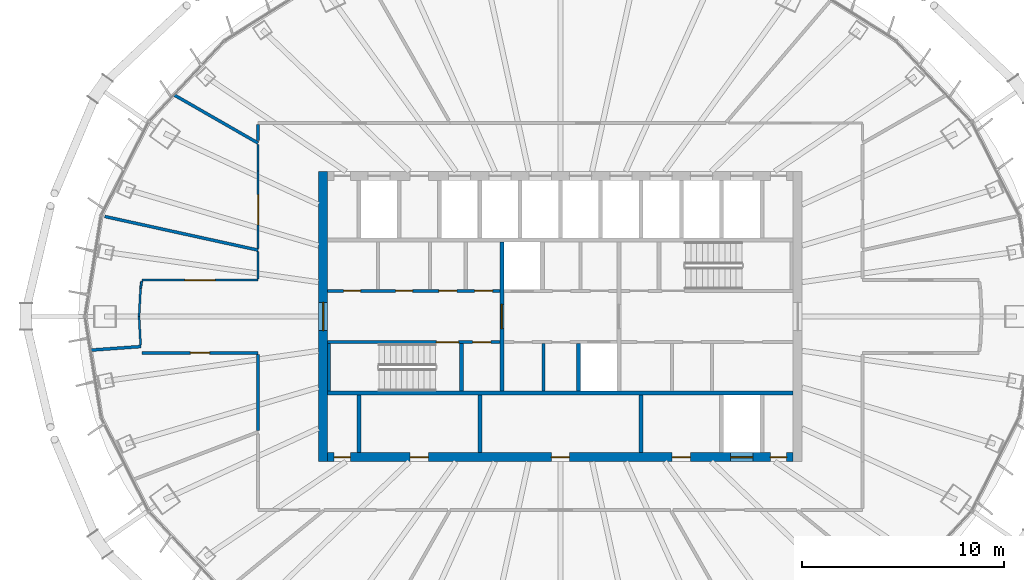
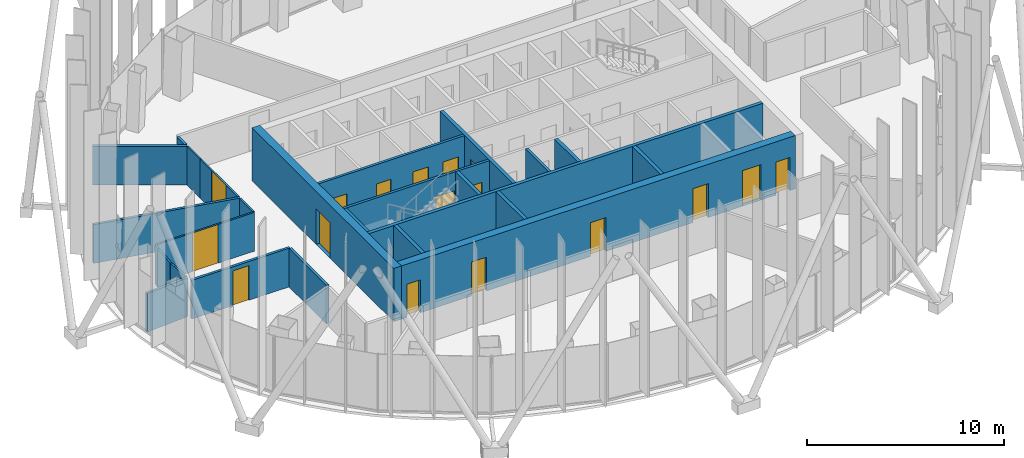
# One storey, part 9 of 19: 26 walls, 17 doors, 17 openings.
"""IFC4 building model written with IfcOpenShell, lengths in metres."""

from ifc_helpers import new_model, si_unit, direction, frame, frame_2d, origin, place, context, subcontext, project, spatial, rectangle, extrude, material, layer, layer_set, type_object, element, fill, save


model = new_model("IFC4")

# Units and contexts
model_context = context("Model", 3, precision=1e-05, world=origin(), true_north=direction((0.0, 1.0)))
body_context = subcontext(model_context, "Body", "Model", "MODEL_VIEW")
ifc_project = project(units=[si_unit("LENGTHUNIT", "METRE"), si_unit("AREAUNIT", "SQUARE_METRE"), si_unit("VOLUMEUNIT", "CUBIC_METRE"), si_unit("PLANEANGLEUNIT", "RADIAN"), si_unit("MASSUNIT", "GRAM", prefix="KILO")], contexts=[model_context])

# Site, building, storey
site_placement = place(None, origin())
site = spatial("IfcSite", under=ifc_project, at=site_placement, CompositionType="ELEMENT")
building_placement = place(site_placement, origin())
building = spatial("IfcBuilding", under=site, at=building_placement, Name="Siaravel Broadcast Tower", CompositionType="ELEMENT")
storey_placement = place(building_placement, frame((0.0, 0.0, 168.199951171875)))
storey = spatial("IfcBuildingStorey", under=building, at=storey_placement, Name="L40", CompositionType="ELEMENT", Elevation=168.199951171875)

# Walls
ifc_material_1 = material(Name="Concrete blockwork", Category="masonry")
ifc_layer_1 = layer(ifc_material_1, 0.14990234375)
ifc_layer_set_1 = layer_set([ifc_layer_1], Name="Concrete blockwork")
wall_type_1 = type_object("IfcWallType", Name="Core partition 150", PredefinedType="PARTITIONING", material=ifc_layer_set_1)
wall_1_placement = place(storey_placement, frame((-0.827392578125, -3.699951171875, 0.0), z_axis=(0.0, 0.0, 1.0), x_axis=(0.0, 1.0, 0.0)))
element("IfcWall", 1, at=wall_1_placement, inside=storey, type_object=wall_type_1, Name="L40 core partition PSM0", PredefinedType="PARTITIONING", context=body_context, shape_type="SweptSolid", body=[
    extrude(rectangle(XDim=2.349853515625, YDim=0.14990234375, at=frame_2d((1.1748046875, 0.0))), origin(), (0.0, 0.0, 1.0), 3.300048828125),
])
ifc_layer_2 = layer(ifc_material_1, 0.199951171875)
ifc_layer_set_2 = layer_set([ifc_layer_2], Name="Concrete blockwork")
wall_type_2 = type_object("IfcWallType", Name="Core partition 200", PredefinedType="PARTITIONING", material=ifc_layer_set_2)
for number, where, z_axis, x_axis, name in (
    (2, (-4.0, -6.75, 0.0), (0.0, 0.0, 1.0), (0.0, 1.0, 0.0), "L40 core partition PFS0"),
    (3, (4.0, -6.75, 0.0), (0.0, 0.0, 1.0), (0.0, 1.0, 0.0), "L40 core partition PFS3"),
):
    element("IfcWall", number, at=place(storey_placement, frame(where, z_axis=z_axis, x_axis=x_axis)), inside=storey, type_object=wall_type_2, Name=name, PredefinedType="PARTITIONING", context=body_context, shape_type="SweptSolid", body=[
        extrude(rectangle(XDim=2.85009765625, YDim=0.199951171875, at=frame_2d((1.425048828125, 0.0))), origin(), (0.0, 0.0, 1.0), 3.300048828125),
    ])

# Wall, opening, door
ifc_material_2 = material(Name="Concrete C60/75", Category="concrete")
ifc_layer_3 = layer(ifc_material_2, 0.449951171875)
ifc_layer_set_3 = layer_set([ifc_layer_3], Name="Concrete C60/75")
wall_type_3 = type_object("IfcWallType", Name="Core wall 450", PredefinedType="SHEAR", material=ifc_layer_set_3)
wall_2_placement = place(storey_placement, frame((-11.77490234375, -7.199951171875, 0.0), z_axis=(0.0, 0.0, 1.0), x_axis=(0.0, 1.0, 0.0)))
wall_2 = element("IfcWall", 4, at=wall_2_placement, inside=storey, type_object=wall_type_3, Name="L40 core wall OW", PredefinedType="SHEAR", context=body_context, shape_type="SweptSolid", body=[
    extrude(rectangle(XDim=14.39990234375, YDim=0.449951171875, at=frame_2d((7.199951171875, 0.0))), origin(), (0.0, 0.0, 1.0), 3.300048828125),
])
opening_1_placement = place(wall_2_placement, frame((6.5, 0.0, 0.0)))
opening_1 = element("IfcOpeningElement", 5, at=opening_1_placement, cuts=wall_2, Name="Opening L40-DX-W", PredefinedType="OPENING", context=body_context, shape_type="SweptSolid", body=[
    extrude(rectangle(XDim=1.39990234375, YDim=2.199951171875, at=frame_2d((0.699951171875, 1.10009765625))), frame((0.0, 0.23486328125, 0.0), z_axis=(0.0, -1.0, 0.0), x_axis=(1.0, 0.0, 0.0)), (0.0, 0.0, 1.0), 0.469970703125),
])
ifc_material_3 = material(Name="Steel", Category="steel")
door_type_1 = type_object("IfcDoorType", Name="Core exit door 1400", OperationType="DOUBLE_DOOR_SINGLE_SWING", PredefinedType="DOOR", material=ifc_material_3)
door_1_placement = place(opening_1_placement, origin())
door_1 = element("IfcDoor", 6, at=door_1_placement, inside=storey, type_object=door_type_1, Name="L40 door DX-W", OperationType="DOUBLE_DOOR_SINGLE_SWING", OverallHeight=2.199951171875, OverallWidth=1.39990234375, PredefinedType="DOOR", context=body_context, shape_type="SweptSolid", body=[
    extrude(rectangle(XDim=1.39990234375, YDim=2.199951171875, at=frame_2d((0.699951171875, 1.10009765625))), frame((0.0, 0.02490234375, 0.0), z_axis=(0.0, -1.0, 0.0), x_axis=(1.0, 0.0, 0.0)), (0.0, 0.0, 1.0), 0.050048828125),
])
fill(opening_1, door_1)

# Wall, openings, doors
wall_3_placement = place(storey_placement, frame((-11.550048828125, -6.97509765625, 0.0), z_axis=(0.0, 0.0, 1.0), x_axis=(1.0, 0.0, 0.0)))
wall_3 = element("IfcWall", 7, at=wall_3_placement, inside=storey, type_object=wall_type_3, Name="L40 core wall OS", PredefinedType="SHEAR", context=body_context, shape_type="SweptSolid", body=[
    extrude(rectangle(XDim=23.10009765625, YDim=0.449951171875, at=frame_2d((11.550048828125, 0.0))), origin(), (0.0, 0.0, 1.0), 3.300048828125),
])
opening_2_placement = place(wall_3_placement, frame((20.0, 0.0, 0.0)))
opening_2 = element("IfcOpeningElement", 8, at=opening_2_placement, cuts=wall_3, Name="Opening LD-SV1-L40", PredefinedType="OPENING", context=body_context, shape_type="SweptSolid", body=[
    extrude(rectangle(XDim=1.10009765625, YDim=2.199951171875, at=frame_2d((0.550048828125, 1.10009765625))), frame((0.0, 0.23486328125, 0.0), z_axis=(0.0, -1.0, 0.0), x_axis=(1.0, 0.0, 0.0)), (0.0, 0.0, 1.0), 0.469970703125),
])
opening_3_placement = place(wall_3_placement, frame((4.10009765625, 0.0, 0.0)))
opening_3 = element("IfcOpeningElement", 9, at=opening_3_placement, cuts=wall_3, Name="Opening L40-DFS0", PredefinedType="OPENING", context=body_context, shape_type="SweptSolid", body=[
    extrude(rectangle(XDim=0.89990234375, YDim=2.10009765625, at=frame_2d((0.449951171875, 1.050048828125))), frame((0.0, 0.23486328125, 0.0), z_axis=(0.0, -1.0, 0.0), x_axis=(1.0, 0.0, 0.0)), (0.0, 0.0, 1.0), 0.469970703125),
])
opening_4_placement = place(wall_3_placement, frame((11.10009765625, 0.0, 0.0)))
opening_4 = element("IfcOpeningElement", 10, at=opening_4_placement, cuts=wall_3, Name="Opening L40-DFS3", PredefinedType="OPENING", context=body_context, shape_type="SweptSolid", body=[
    extrude(rectangle(XDim=0.89990234375, YDim=2.10009765625, at=frame_2d((0.449951171875, 1.050048828125))), frame((0.0, 0.23486328125, 0.0), z_axis=(0.0, -1.0, 0.0), x_axis=(1.0, 0.0, 0.0)), (0.0, 0.0, 1.0), 0.469970703125),
])
opening_5_placement = place(wall_3_placement, frame((17.10009765625, 0.0, 0.0)))
opening_5 = element("IfcOpeningElement", 11, at=opening_5_placement, cuts=wall_3, Name="Opening L40-DFS7", PredefinedType="OPENING", context=body_context, shape_type="SweptSolid", body=[
    extrude(rectangle(XDim=0.89990234375, YDim=2.10009765625, at=frame_2d((0.449951171875, 1.050048828125))), frame((0.0, 0.23486328125, 0.0), z_axis=(0.0, -1.0, 0.0), x_axis=(1.0, 0.0, 0.0)), (0.0, 0.0, 1.0), 0.469970703125),
])
opening_6_placement = place(wall_3_placement, frame((0.324951171875, 0.0, 0.0)))
opening_6 = element("IfcOpeningElement", 12, at=opening_6_placement, cuts=wall_3, Name="Opening L40-DRSW", PredefinedType="OPENING", context=body_context, shape_type="SweptSolid", body=[
    extrude(rectangle(XDim=0.800048828125, YDim=2.050048828125, at=frame_2d((0.39990234375, 1.02490234375))), frame((0.0, 0.23486328125, 0.0), z_axis=(0.0, -1.0, 0.0), x_axis=(1.0, 0.0, 0.0)), (0.0, 0.0, 1.0), 0.469970703125),
])
opening_7_placement = place(wall_3_placement, frame((21.97509765625, 0.0, 0.0)))
opening_7 = element("IfcOpeningElement", 13, at=opening_7_placement, cuts=wall_3, Name="Opening L40-DRSE", PredefinedType="OPENING", context=body_context, shape_type="SweptSolid", body=[
    extrude(rectangle(XDim=0.800048828125, YDim=2.050048828125, at=frame_2d((0.39990234375, 1.02490234375))), frame((0.0, 0.23486328125, 0.0), z_axis=(0.0, -1.0, 0.0), x_axis=(1.0, 0.0, 0.0)), (0.0, 0.0, 1.0), 0.469970703125),
])
ifc_material_4 = material(Name="Timber veneer", Category="wood")
door_type_2 = type_object("IfcDoorType", Name="Core room door 900", OperationType="SINGLE_SWING_LEFT", PredefinedType="DOOR", material=ifc_material_4)
door_2_placement = place(opening_3_placement, origin())
door_2 = element("IfcDoor", 14, at=door_2_placement, inside=storey, type_object=door_type_2, Name="L40 door DFS0", OperationType="SINGLE_SWING_LEFT", OverallHeight=2.10009765625, OverallWidth=0.89990234375, PredefinedType="DOOR", context=body_context, shape_type="SweptSolid", body=[
    extrude(rectangle(XDim=0.89990234375, YDim=2.10009765625, at=frame_2d((0.449951171875, 1.050048828125))), frame((0.0, 0.02490234375, 0.0), z_axis=(0.0, -1.0, 0.0), x_axis=(1.0, 0.0, 0.0)), (0.0, 0.0, 1.0), 0.050048828125),
])
fill(opening_3, door_2)
door_3_placement = place(opening_4_placement, origin())
door_3 = element("IfcDoor", 15, at=door_3_placement, inside=storey, type_object=door_type_2, Name="L40 door DFS3", OperationType="SINGLE_SWING_LEFT", OverallHeight=2.10009765625, OverallWidth=0.89990234375, PredefinedType="DOOR", context=body_context, shape_type="SweptSolid", body=[
    extrude(rectangle(XDim=0.89990234375, YDim=2.10009765625, at=frame_2d((0.449951171875, 1.050048828125))), frame((0.0, 0.02490234375, 0.0), z_axis=(0.0, -1.0, 0.0), x_axis=(1.0, 0.0, 0.0)), (0.0, 0.0, 1.0), 0.050048828125),
])
fill(opening_4, door_3)
door_4_placement = place(opening_5_placement, origin())
door_4 = element("IfcDoor", 16, at=door_4_placement, inside=storey, type_object=door_type_2, Name="L40 door DFS7", OperationType="SINGLE_SWING_LEFT", OverallHeight=2.10009765625, OverallWidth=0.89990234375, PredefinedType="DOOR", context=body_context, shape_type="SweptSolid", body=[
    extrude(rectangle(XDim=0.89990234375, YDim=2.10009765625, at=frame_2d((0.449951171875, 1.050048828125))), frame((0.0, 0.02490234375, 0.0), z_axis=(0.0, -1.0, 0.0), x_axis=(1.0, 0.0, 0.0)), (0.0, 0.0, 1.0), 0.050048828125),
])
fill(opening_5, door_4)
door_type_3 = type_object("IfcDoorType", Name="Riser door 800", OperationType="SINGLE_SWING_LEFT", PredefinedType="DOOR", material=ifc_material_3)
door_5_placement = place(opening_6_placement, origin())
door_5 = element("IfcDoor", 17, at=door_5_placement, inside=storey, type_object=door_type_3, Name="L40 door DRSW", OperationType="SINGLE_SWING_LEFT", OverallHeight=2.050048828125, OverallWidth=0.800048828125, PredefinedType="DOOR", context=body_context, shape_type="SweptSolid", body=[
    extrude(rectangle(XDim=0.800048828125, YDim=2.050048828125, at=frame_2d((0.39990234375, 1.02490234375))), frame((0.0, 0.02490234375, 0.0), z_axis=(0.0, -1.0, 0.0), x_axis=(1.0, 0.0, 0.0)), (0.0, 0.0, 1.0), 0.050048828125),
])
fill(opening_6, door_5)
door_6_placement = place(opening_7_placement, origin())
door_6 = element("IfcDoor", 18, at=door_6_placement, inside=storey, type_object=door_type_3, Name="L40 door DRSE", OperationType="SINGLE_SWING_LEFT", OverallHeight=2.050048828125, OverallWidth=0.800048828125, PredefinedType="DOOR", context=body_context, shape_type="SweptSolid", body=[
    extrude(rectangle(XDim=0.800048828125, YDim=2.050048828125, at=frame_2d((0.39990234375, 1.02490234375))), frame((0.0, 0.02490234375, 0.0), z_axis=(0.0, -1.0, 0.0), x_axis=(1.0, 0.0, 0.0)), (0.0, 0.0, 1.0), 0.050048828125),
])
fill(opening_7, door_6)
ifc_material_5 = material(Name="Stainless steel 316L", Category="steel")
door_type_4 = type_object("IfcDoorType", Name="Service lift landing door 1100", OperationType="DOUBLE_DOOR_SLIDING", PredefinedType="DOOR", material=ifc_material_5)
door_7_placement = place(opening_2_placement, origin())
door_7 = element("IfcDoor", 19, at=door_7_placement, inside=storey, type_object=door_type_4, Name="Landing door SV1 L40", OperationType="DOUBLE_DOOR_SLIDING", OverallHeight=2.199951171875, OverallWidth=1.10009765625, PredefinedType="DOOR", context=body_context, shape_type="SweptSolid", body=[
    extrude(rectangle(XDim=1.10009765625, YDim=2.199951171875, at=frame_2d((0.550048828125, 1.10009765625))), frame((0.0, 0.02490234375, 0.0), z_axis=(0.0, -1.0, 0.0), x_axis=(1.0, 0.0, 0.0)), (0.0, 0.0, 1.0), 0.050048828125),
])
fill(opening_2, door_7)

ifc_material_6 = material(Name="Gypsum board partition", Category="gypsum")
ifc_layer_4 = layer(ifc_material_6, 0.14990234375)
ifc_layer_set_4 = layer_set([ifc_layer_4], Name="Gypsum board partition")
wall_type_4 = type_object("IfcWallType", Name="Corridor wall 150", PredefinedType="PARTITIONING", material=ifc_layer_set_4)
wall_4_placement = place(storey_placement, frame((-11.550048828125, 1.27490234375, 0.0), z_axis=(0.0, 0.0, 1.0), x_axis=(1.0, 0.0, 0.0)))
wall_4 = element("IfcWall", 20, at=wall_4_placement, inside=storey, type_object=wall_type_4, Name="L40 core partition CNW", PredefinedType="PARTITIONING", context=body_context, shape_type="SweptSolid", body=[
    extrude(rectangle(XDim=8.550048828125, YDim=0.14990234375, at=frame_2d((4.27490234375, 0.0))), origin(), (0.0, 0.0, 1.0), 3.300048828125),
])
opening_8_placement = place(wall_4_placement, frame((0.7900390625, 0.0, 0.0)))
opening_8 = element("IfcOpeningElement", 21, at=opening_8_placement, cuts=wall_4, Name="Opening L40-DNW0", PredefinedType="OPENING", context=body_context, shape_type="SweptSolid", body=[
    extrude(rectangle(XDim=0.85009765625, YDim=2.10009765625, at=frame_2d((0.425048828125, 1.050048828125))), frame((0.0, 0.0849609375, 0.0), z_axis=(0.0, -1.0, 0.0), x_axis=(1.0, 0.0, 0.0)), (0.0, 0.0, 1.0), 0.169921875),
])
opening_9_placement = place(wall_4_placement, frame((3.3701171875, 0.0, 0.0)))
opening_9 = element("IfcOpeningElement", 22, at=opening_9_placement, cuts=wall_4, Name="Opening L40-DNW1", PredefinedType="OPENING", context=body_context, shape_type="SweptSolid", body=[
    extrude(rectangle(XDim=0.85009765625, YDim=2.10009765625, at=frame_2d((0.425048828125, 1.050048828125))), frame((0.0, 0.0849609375, 0.0), z_axis=(0.0, -1.0, 0.0), x_axis=(1.0, 0.0, 0.0)), (0.0, 0.0, 1.0), 0.169921875),
])
opening_10_placement = place(wall_4_placement, frame((5.52001953125, 0.0, 0.0)))
opening_10 = element("IfcOpeningElement", 23, at=opening_10_placement, cuts=wall_4, Name="Opening L40-DNW2", PredefinedType="OPENING", context=body_context, shape_type="SweptSolid", body=[
    extrude(rectangle(XDim=0.89990234375, YDim=2.10009765625, at=frame_2d((0.449951171875, 1.050048828125))), frame((0.0, 0.0849609375, 0.0), z_axis=(0.0, -1.0, 0.0), x_axis=(1.0, 0.0, 0.0)), (0.0, 0.0, 1.0), 0.169921875),
])
opening_11_placement = place(wall_4_placement, frame((7.2900390625, 0.0, 0.0)))
opening_11 = element("IfcOpeningElement", 24, at=opening_11_placement, cuts=wall_4, Name="Opening L40-DNW3", PredefinedType="OPENING", context=body_context, shape_type="SweptSolid", body=[
    extrude(rectangle(XDim=0.89990234375, YDim=2.10009765625, at=frame_2d((0.449951171875, 1.050048828125))), frame((0.0, 0.0849609375, 0.0), z_axis=(0.0, -1.0, 0.0), x_axis=(1.0, 0.0, 0.0)), (0.0, 0.0, 1.0), 0.169921875),
])
door_8_placement = place(opening_10_placement, origin())
door_8 = element("IfcDoor", 25, at=door_8_placement, inside=storey, type_object=door_type_2, Name="L40 door DNW2", OperationType="SINGLE_SWING_LEFT", OverallHeight=2.10009765625, OverallWidth=0.89990234375, PredefinedType="DOOR", context=body_context, shape_type="SweptSolid", body=[
    extrude(rectangle(XDim=0.89990234375, YDim=2.10009765625, at=frame_2d((0.449951171875, 1.050048828125))), frame((0.0, 0.02490234375, 0.0), z_axis=(0.0, -1.0, 0.0), x_axis=(1.0, 0.0, 0.0)), (0.0, 0.0, 1.0), 0.050048828125),
])
fill(opening_10, door_8)
door_9_placement = place(opening_11_placement, origin())
door_9 = element("IfcDoor", 26, at=door_9_placement, inside=storey, type_object=door_type_2, Name="L40 door DNW3", OperationType="SINGLE_SWING_LEFT", OverallHeight=2.10009765625, OverallWidth=0.89990234375, PredefinedType="DOOR", context=body_context, shape_type="SweptSolid", body=[
    extrude(rectangle(XDim=0.89990234375, YDim=2.10009765625, at=frame_2d((0.449951171875, 1.050048828125))), frame((0.0, 0.02490234375, 0.0), z_axis=(0.0, -1.0, 0.0), x_axis=(1.0, 0.0, 0.0)), (0.0, 0.0, 1.0), 0.050048828125),
])
fill(opening_11, door_9)
door_type_5 = type_object("IfcDoorType", Name="Core toilet door 850", OperationType="SINGLE_SWING_LEFT", PredefinedType="DOOR", material=ifc_material_4)
door_10_placement = place(opening_8_placement, origin())
door_10 = element("IfcDoor", 27, at=door_10_placement, inside=storey, type_object=door_type_5, Name="L40 door DNW0", OperationType="SINGLE_SWING_LEFT", OverallHeight=2.10009765625, OverallWidth=0.85009765625, PredefinedType="DOOR", context=body_context, shape_type="SweptSolid", body=[
    extrude(rectangle(XDim=0.85009765625, YDim=2.10009765625, at=frame_2d((0.425048828125, 1.050048828125))), frame((0.0, 0.02490234375, 0.0), z_axis=(0.0, -1.0, 0.0), x_axis=(1.0, 0.0, 0.0)), (0.0, 0.0, 1.0), 0.050048828125),
])
fill(opening_8, door_10)
door_11_placement = place(opening_9_placement, origin())
door_11 = element("IfcDoor", 28, at=door_11_placement, inside=storey, type_object=door_type_5, Name="L40 door DNW1", OperationType="SINGLE_SWING_LEFT", OverallHeight=2.10009765625, OverallWidth=0.85009765625, PredefinedType="DOOR", context=body_context, shape_type="SweptSolid", body=[
    extrude(rectangle(XDim=0.85009765625, YDim=2.10009765625, at=frame_2d((0.425048828125, 1.050048828125))), frame((0.0, 0.02490234375, 0.0), z_axis=(0.0, -1.0, 0.0), x_axis=(1.0, 0.0, 0.0)), (0.0, 0.0, 1.0), 0.050048828125),
])
fill(opening_9, door_11)

# Wall, opening, door
wall_5_placement = place(storey_placement, frame((-20.766357421875, -1.800048828125, 0.0), z_axis=(0.0, 0.0, 1.0), x_axis=(1.0, 0.0, 0.0)))
wall_5 = element("IfcWall", 29, at=wall_5_placement, inside=storey, type_object=wall_type_4, Name="L40 partition 16", PredefinedType="PARTITIONING", context=body_context, shape_type="SweptSolid", body=[
    extrude(rectangle(XDim=5.766357421875, YDim=0.14990234375, at=frame_2d((2.88330078125, 0.0))), origin(), (0.0, 0.0, 1.0), 2.400146484375),
])
opening_12_placement = place(wall_5_placement, frame((2.408203125, 0.0, 0.0)))
opening_12 = element("IfcOpeningElement", 30, at=opening_12_placement, cuts=wall_5, Name="Opening L40-012", PredefinedType="OPENING", context=body_context, shape_type="SweptSolid", body=[
    extrude(rectangle(XDim=0.949951171875, YDim=2.14990234375, at=frame_2d((0.47509765625, 1.074951171875))), frame((0.0, 0.0849609375, 0.0), z_axis=(0.0, -1.0, 0.0), x_axis=(1.0, 0.0, 0.0)), (0.0, 0.0, 1.0), 0.169921875),
])
door_type_6 = type_object("IfcDoorType", Name="Office door 950", OperationType="SINGLE_SWING_LEFT", PredefinedType="DOOR", material=ifc_material_4)
door_12_placement = place(opening_12_placement, origin())
door_12 = element("IfcDoor", 31, at=door_12_placement, inside=storey, type_object=door_type_6, Name="L40 door to Reception", OperationType="SINGLE_SWING_RIGHT", OverallHeight=2.14990234375, OverallWidth=0.949951171875, PredefinedType="DOOR", context=body_context, shape_type="SweptSolid", body=[
    extrude(rectangle(XDim=0.949951171875, YDim=2.14990234375, at=frame_2d((0.47509765625, 1.074951171875))), frame((0.0, 0.02490234375, 0.0), z_axis=(0.0, -1.0, 0.0), x_axis=(1.0, 0.0, 0.0)), (0.0, 0.0, 1.0), 0.050048828125),
])
fill(opening_12, door_12)

# Walls
wall_6_placement = place(storey_placement, frame((-15.0, -1.876953125, 0.0), z_axis=(0.0, 0.0, 1.0), x_axis=(0.0, -1.0, 0.0)))
element("IfcWall", 32, at=wall_6_placement, inside=storey, type_object=wall_type_4, Name="L40 partition 23", PredefinedType="PARTITIONING", context=body_context, shape_type="SweptSolid", body=[
    extrude(rectangle(XDim=3.7802734375, YDim=0.14990234375, at=frame_2d((1.89013671875, 0.0))), origin(), (0.0, 0.0, 1.0), 2.400146484375),
])
wall_7_placement = place(storey_placement, frame((-15.0, 9.52294921875, 0.0), z_axis=(0.0, 0.0, 1.0), x_axis=(0.0, -1.0, 0.0)))
element("IfcWall", 33, at=wall_7_placement, inside=storey, type_object=wall_type_4, Name="L40 partition 40", PredefinedType="PARTITIONING", context=body_context, shape_type="SweptSolid", body=[
    extrude(rectangle(XDim=0.788330078125, YDim=0.14990234375, at=frame_2d((0.39404296875, 0.0))), origin(), (0.0, 0.0, 1.0), 2.400146484375),
])

# Wall, opening, door
ifc_material_7 = material(Name="Glazed aluminium partition", Category="aluminium")
ifc_layer_5 = layer(ifc_material_7, 0.10009765625)
ifc_layer_set_5 = layer_set([ifc_layer_5], Name="Glazed aluminium partition")
wall_type_5 = type_object("IfcWallType", Name="Glazed meeting room partition 100", PredefinedType="PARTITIONING", material=ifc_layer_set_5)
wall_8_placement = place(storey_placement, frame((-15.0, 1.800048828125, 0.0), z_axis=(0.0, 0.0, 1.0), x_axis=(-1.0, 0.0, 0.0)))
wall_8 = element("IfcWall", 34, at=wall_8_placement, inside=storey, type_object=wall_type_5, Name="L40 partition 17", PredefinedType="PARTITIONING", context=body_context, shape_type="SweptSolid", body=[
    extrude(rectangle(XDim=5.766357421875, YDim=0.10009765625, at=frame_2d((2.88330078125, 0.0))), origin(), (0.0, 0.0, 1.0), 2.400146484375),
])
opening_13_placement = place(wall_8_placement, frame((2.13330078125, 0.0, 0.0)))
opening_13 = element("IfcOpeningElement", 35, at=opening_13_placement, cuts=wall_8, Name="Opening L40-011", PredefinedType="OPENING", context=body_context, shape_type="SweptSolid", body=[
    extrude(rectangle(XDim=1.5, YDim=2.39990234375, at=frame_2d((0.75, 1.199951171875))), frame((0.0, 0.06005859375, 0.0), z_axis=(0.0, -1.0, 0.0), x_axis=(1.0, 0.0, 0.0)), (0.0, 0.0, 1.0), 0.1201171875),
])
door_type_7 = type_object("IfcDoorType", Name="Conference double door 1500", OperationType="DOUBLE_DOOR_SINGLE_SWING", PredefinedType="DOOR", material=ifc_material_4)
door_13_placement = place(opening_13_placement, origin())
door_13 = element("IfcDoor", 36, at=door_13_placement, inside=storey, type_object=door_type_7, Name="L40 door to Boardroom", OperationType="DOUBLE_DOOR_SINGLE_SWING", OverallHeight=2.39990234375, OverallWidth=1.5, PredefinedType="DOOR", context=body_context, shape_type="SweptSolid", body=[
    extrude(rectangle(XDim=1.5, YDim=2.39990234375, at=frame_2d((0.75, 1.199951171875))), frame((0.0, 0.02490234375, 0.0), z_axis=(0.0, -1.0, 0.0), x_axis=(1.0, 0.0, 0.0)), (0.0, 0.0, 1.0), 0.050048828125),
])
fill(opening_13, door_13)

wall_9_placement = place(storey_placement, frame((-15.0, 7.2119140625, 0.0), z_axis=(0.0, 0.0, 1.0), x_axis=(0.0, -1.0, 0.0)))
wall_9 = element("IfcWall", 37, at=wall_9_placement, inside=storey, type_object=wall_type_5, Name="L40 partition 24", PredefinedType="PARTITIONING", context=body_context, shape_type="SweptSolid", body=[
    extrude(rectangle(XDim=3.830078125, YDim=0.10009765625, at=frame_2d((1.9150390625, 0.0))), origin(), (0.0, 0.0, 1.0), 2.400146484375),
])
opening_14_placement = place(wall_9_placement, frame((1.1650390625, 0.0, 0.0)))
opening_14 = element("IfcOpeningElement", 38, at=opening_14_placement, cuts=wall_9, Name="Opening L40-010", PredefinedType="OPENING", context=body_context, shape_type="SweptSolid", body=[
    extrude(rectangle(XDim=1.5, YDim=2.39990234375, at=frame_2d((0.75, 1.199951171875))), frame((0.0, 0.06005859375, 0.0), z_axis=(0.0, -1.0, 0.0), x_axis=(1.0, 0.0, 0.0)), (0.0, 0.0, 1.0), 0.1201171875),
])
door_14_placement = place(opening_14_placement, origin())
door_14 = element("IfcDoor", 39, at=door_14_placement, inside=storey, type_object=door_type_7, Name="L40 door to Boardroom", OperationType="DOUBLE_DOOR_SINGLE_SWING", OverallHeight=2.39990234375, OverallWidth=1.5, PredefinedType="DOOR", context=body_context, shape_type="SweptSolid", body=[
    extrude(rectangle(XDim=1.5, YDim=2.39990234375, at=frame_2d((0.75, 1.199951171875))), frame((0.0, 0.02490234375, 0.0), z_axis=(0.0, -1.0, 0.0), x_axis=(1.0, 0.0, 0.0)), (0.0, 0.0, 1.0), 0.050048828125),
])
fill(opening_14, door_14)

# Walls
wall_10_placement = place(storey_placement, frame((-20.905029296875, 0.0, 0.0), z_axis=(0.0, 0.0, 1.0), x_axis=(0.053227869, -0.998582392, 0.0)))
element("IfcWall", 40, at=wall_10_placement, inside=storey, type_object=wall_type_5, Name="L40 partition 31", PredefinedType="PARTITIONING", context=body_context, shape_type="SweptSolid", body=[
    extrude(rectangle(XDim=1.417236328125, YDim=0.10009765625, at=frame_2d((0.70849609375, 0.0))), origin(), (0.0, 0.0, 1.0), 2.400146484375),
])
wall_11_placement = place(storey_placement, frame((-15.0, 3.216796875, 0.0), z_axis=(0.0, 0.0, 1.0), x_axis=(0.0, -1.0, 0.0)))
element("IfcWall", 41, at=wall_11_placement, inside=storey, type_object=wall_type_5, Name="L40 partition 32", PredefinedType="PARTITIONING", context=body_context, shape_type="SweptSolid", body=[
    extrude(rectangle(XDim=1.36474609375, YDim=0.10009765625, at=frame_2d((0.682373046875, 0.0))), origin(), (0.0, 0.0, 1.0), 2.400146484375),
])
wall_12_placement = place(storey_placement, frame((-15.0, 8.5361328125, 0.0), z_axis=(0.0, 0.0, 1.0), x_axis=(0.0, -1.0, 0.0)))
element("IfcWall", 42, at=wall_12_placement, inside=storey, type_object=wall_type_5, Name="L40 partition 35", PredefinedType="PARTITIONING", context=body_context, shape_type="SweptSolid", body=[
    extrude(rectangle(XDim=1.3232421875, YDim=0.10009765625, at=frame_2d((0.66162109375, 0.0))), origin(), (0.0, 0.0, 1.0), 2.400146484375),
])
wall_13_placement = place(storey_placement, frame((-20.830322265625, 1.4013671875, 0.0), z_axis=(0.0, 0.0, 1.0), x_axis=(-0.053234513, -0.998582038, 0.0)))
element("IfcWall", 43, at=wall_13_placement, inside=storey, type_object=wall_type_5, Name="L40 partition 37", PredefinedType="PARTITIONING", context=body_context, shape_type="SweptSolid", body=[
    extrude(rectangle(XDim=1.4033203125, YDim=0.10009765625, at=frame_2d((0.70166015625, 0.0))), origin(), (0.0, 0.0, 1.0), 2.400146484375),
])
wall_14_placement = place(storey_placement, frame((-20.7744140625, 1.749267578125, 0.0), z_axis=(0.0, 0.0, 1.0), x_axis=(-0.158666034, -0.98733231, 0.0)))
element("IfcWall", 44, at=wall_14_placement, inside=storey, type_object=wall_type_5, Name="L40 partition 42", PredefinedType="PARTITIONING", context=body_context, shape_type="SweptSolid", body=[
    extrude(rectangle(XDim=0.352294921875, YDim=0.10009765625, at=frame_2d((0.17626953125, 0.0))), origin(), (0.0, 0.0, 1.0), 2.400146484375),
])
ifc_layer_6 = layer(ifc_material_6, 0.14990234375)
ifc_layer_set_6 = layer_set([ifc_layer_6], Name="Gypsum board partition")
wall_type_6 = type_object("IfcWallType", Name="Room partition 150", PredefinedType="PARTITIONING", material=ifc_layer_set_6)
wall_15_placement = place(storey_placement, frame((-22.60986328125, 4.96240234375, 0.0), z_axis=(0.0, 0.0, 1.0), x_axis=(0.976752185, -0.214371566, 0.0)))
element("IfcWall", 45, at=wall_15_placement, inside=storey, type_object=wall_type_6, Name="L40 partition 8", PredefinedType="PARTITIONING", context=body_context, shape_type="SweptSolid", body=[
    extrude(rectangle(XDim=7.791015625, YDim=0.14990234375, at=frame_2d((3.8955078125, 0.0))), origin(), (0.0, 0.0, 1.0), 2.400146484375),
])
wall_16_placement = place(storey_placement, frame((-19.168701171875, 10.994140625, 0.0), z_axis=(0.0, 0.0, 1.0), x_axis=(0.867457349, -0.497511556, 0.0)))
element("IfcWall", 46, at=wall_16_placement, inside=storey, type_object=wall_type_6, Name="L40 partition 21", PredefinedType="PARTITIONING", context=body_context, shape_type="SweptSolid", body=[
    extrude(rectangle(XDim=4.8056640625, YDim=0.14990234375, at=frame_2d((2.40283203125, 0.0))), origin(), (0.0, 0.0, 1.0), 2.400146484375),
])
wall_17_placement = place(storey_placement, frame((-23.319091796875, -1.671142578125, 0.0), z_axis=(0.0, 0.0, 1.0), x_axis=(0.997440396, 0.071502847, 0.0)))
element("IfcWall", 47, at=wall_17_placement, inside=storey, type_object=wall_type_6, Name="L40 partition 28", PredefinedType="PARTITIONING", context=body_context, shape_type="SweptSolid", body=[
    extrude(rectangle(XDim=2.509521484375, YDim=0.14990234375, at=frame_2d((1.2548828125, 0.0))), origin(), (0.0, 0.0, 1.0), 2.400146484375),
])

# Wall, openings, doors
ifc_layer_7 = layer(ifc_material_2, 0.14990234375)
ifc_layer_set_7 = layer_set([ifc_layer_7], Name="Concrete C60/75")
wall_type_7 = type_object("IfcWallType", Name="Shaft wall 150", PredefinedType="SHEAR", material=ifc_layer_set_7)
wall_18_placement = place(storey_placement, frame((-11.550048828125, -1.27490234375, 0.0), z_axis=(0.0, 0.0, 1.0), x_axis=(1.0, 0.0, 0.0)))
wall_18 = element("IfcWall", 48, at=wall_18_placement, inside=storey, type_object=wall_type_7, Name="L40 core wall CSW", PredefinedType="SHEAR", context=body_context, shape_type="SweptSolid", body=[
    extrude(rectangle(XDim=8.550048828125, YDim=0.14990234375, at=frame_2d((4.27490234375, 0.0))), origin(), (0.0, 0.0, 1.0), 3.300048828125),
])
opening_15_placement = place(wall_18_placement, frame((5.39990234375, 0.0, 0.0)))
opening_15 = element("IfcOpeningElement", 49, at=opening_15_placement, cuts=wall_18, Name="Opening L40-DS-1", PredefinedType="OPENING", context=body_context, shape_type="SweptSolid", body=[
    extrude(rectangle(XDim=1.10009765625, YDim=2.14990234375, at=frame_2d((0.550048828125, 1.074951171875))), frame((0.0, 0.0849609375, 0.0), z_axis=(0.0, -1.0, 0.0), x_axis=(1.0, 0.0, 0.0)), (0.0, 0.0, 1.0), 0.169921875),
])
opening_16_placement = place(wall_18_placement, frame((7.199951171875, 0.0, 0.0)))
opening_16 = element("IfcOpeningElement", 50, at=opening_16_placement, cuts=wall_18, Name="Opening L40-DSW0", PredefinedType="OPENING", context=body_context, shape_type="SweptSolid", body=[
    extrude(rectangle(XDim=0.89990234375, YDim=2.10009765625, at=frame_2d((0.449951171875, 1.050048828125))), frame((0.0, 0.0849609375, 0.0), z_axis=(0.0, -1.0, 0.0), x_axis=(1.0, 0.0, 0.0)), (0.0, 0.0, 1.0), 0.169921875),
])
door_15_placement = place(opening_16_placement, origin())
door_15 = element("IfcDoor", 51, at=door_15_placement, inside=storey, type_object=door_type_2, Name="L40 door DSW0", OperationType="SINGLE_SWING_LEFT", OverallHeight=2.10009765625, OverallWidth=0.89990234375, PredefinedType="DOOR", context=body_context, shape_type="SweptSolid", body=[
    extrude(rectangle(XDim=0.89990234375, YDim=2.10009765625, at=frame_2d((0.449951171875, 1.050048828125))), frame((0.0, 0.02490234375, 0.0), z_axis=(0.0, -1.0, 0.0), x_axis=(1.0, 0.0, 0.0)), (0.0, 0.0, 1.0), 0.050048828125),
])
fill(opening_16, door_15)
door_type_8 = type_object("IfcDoorType", Name="Stair door 1100", OperationType="SINGLE_SWING_LEFT", PredefinedType="DOOR", material=ifc_material_3)
door_16_placement = place(opening_15_placement, origin())
door_16 = element("IfcDoor", 52, at=door_16_placement, inside=storey, type_object=door_type_8, Name="L40 door DS-1", OperationType="SINGLE_SWING_LEFT", OverallHeight=2.14990234375, OverallWidth=1.10009765625, PredefinedType="DOOR", context=body_context, shape_type="SweptSolid", body=[
    extrude(rectangle(XDim=1.10009765625, YDim=2.14990234375, at=frame_2d((0.550048828125, 1.074951171875))), frame((0.0, 0.02490234375, 0.0), z_axis=(0.0, -1.0, 0.0), x_axis=(1.0, 0.0, 0.0)), (0.0, 0.0, 1.0), 0.050048828125),
])
fill(opening_15, door_16)

# Walls
wall_19_placement = place(storey_placement, frame((-11.47509765625, -3.699951171875, 0.0), z_axis=(0.0, 0.0, 1.0), x_axis=(0.0, 1.0, 0.0)))
element("IfcWall", 53, at=wall_19_placement, inside=storey, type_object=wall_type_7, Name="L40 core wall ST1W", PredefinedType="SHEAR", context=body_context, shape_type="SweptSolid", body=[
    extrude(rectangle(XDim=2.349853515625, YDim=0.14990234375, at=frame_2d((1.1748046875, 0.0))), origin(), (0.0, 0.0, 1.0), 3.300048828125),
])
ifc_layer_8 = layer(ifc_material_2, 0.199951171875)
ifc_layer_set_8 = layer_set([ifc_layer_8], Name="Concrete C60/75")
wall_type_8 = type_object("IfcWallType", Name="Shaft wall 200", PredefinedType="SHEAR", material=ifc_layer_set_8)
wall_20_placement = place(storey_placement, frame((-11.550048828125, -3.800048828125, 0.0), z_axis=(0.0, 0.0, 1.0), x_axis=(1.0, 0.0, 0.0)))
element("IfcWall", 54, at=wall_20_placement, inside=storey, type_object=wall_type_8, Name="L40 core wall BS", PredefinedType="SHEAR", context=body_context, shape_type="SweptSolid", body=[
    extrude(rectangle(XDim=23.10009765625, YDim=0.199951171875, at=frame_2d((11.550048828125, 0.0))), origin(), (0.0, 0.0, 1.0), 3.300048828125),
])
wall_21_placement = place(storey_placement, frame((-10.0, -6.75, 0.0), z_axis=(0.0, 0.0, 1.0), x_axis=(0.0, 1.0, 0.0)))
element("IfcWall", 55, at=wall_21_placement, inside=storey, type_object=wall_type_8, Name="L40 core wall SWS0", PredefinedType="SHEAR", context=body_context, shape_type="SweptSolid", body=[
    extrude(rectangle(XDim=2.85009765625, YDim=0.199951171875, at=frame_2d((1.425048828125, 0.0))), origin(), (0.0, 0.0, 1.0), 3.300048828125),
])

# Wall, opening, door
wall_22_placement = place(storey_placement, frame((-2.89990234375, -3.699951171875, 0.0), z_axis=(0.0, 0.0, 1.0), x_axis=(0.0, 1.0, 0.0)))
wall_22 = element("IfcWall", 56, at=wall_22_placement, inside=storey, type_object=wall_type_8, Name="L40 core wall LW", PredefinedType="SHEAR", context=body_context, shape_type="SweptSolid", body=[
    extrude(rectangle(XDim=7.39990234375, YDim=0.199951171875, at=frame_2d((3.699951171875, 0.0))), origin(), (0.0, 0.0, 1.0), 3.300048828125),
])
opening_17_placement = place(wall_22_placement, frame((3.10009765625, 0.0, 0.0)))
opening_17 = element("IfcOpeningElement", 57, at=opening_17_placement, cuts=wall_22, Name="Opening L40-DL-W", PredefinedType="OPENING", context=body_context, shape_type="SweptSolid", body=[
    extrude(rectangle(XDim=1.199951171875, YDim=2.199951171875, at=frame_2d((0.60009765625, 1.10009765625))), frame((0.0, 0.10986328125, 0.0), z_axis=(0.0, -1.0, 0.0), x_axis=(1.0, 0.0, 0.0)), (0.0, 0.0, 1.0), 0.219970703125),
])
door_type_9 = type_object("IfcDoorType", Name="Firefighting lobby door 1200", OperationType="SINGLE_SWING_LEFT", PredefinedType="DOOR", material=ifc_material_3)
door_17_placement = place(opening_17_placement, origin())
door_17 = element("IfcDoor", 58, at=door_17_placement, inside=storey, type_object=door_type_9, Name="L40 door DL-W", OperationType="SINGLE_SWING_LEFT", OverallHeight=2.199951171875, OverallWidth=1.199951171875, PredefinedType="DOOR", context=body_context, shape_type="SweptSolid", body=[
    extrude(rectangle(XDim=1.199951171875, YDim=2.199951171875, at=frame_2d((0.60009765625, 1.10009765625))), frame((0.0, 0.02490234375, 0.0), z_axis=(0.0, -1.0, 0.0), x_axis=(1.0, 0.0, 0.0)), (0.0, 0.0, 1.0), 0.050048828125),
])
fill(opening_17, door_17)

# Walls
for number, where, z_axis, x_axis, name in (
    (59, (0.89990234375, -3.699951171875, 0.0), (0.0, 0.0, 1.0), (0.0, 1.0, 0.0), "L40 core wall FF2W"),
    (60, (-4.89990234375, -3.699951171875, 0.0), (0.0, 0.0, 1.0), (0.0, 1.0, 0.0), "L40 core wall ST1E"),
):
    element("IfcWall", number, at=place(storey_placement, frame(where, z_axis=z_axis, x_axis=x_axis)), inside=storey, type_object=wall_type_8, Name=name, PredefinedType="SHEAR", context=body_context, shape_type="SweptSolid", body=[
        extrude(rectangle(XDim=2.349853515625, YDim=0.199951171875, at=frame_2d((1.1748046875, 0.0))), origin(), (0.0, 0.0, 1.0), 3.300048828125),
    ])

save(model, "model.ifc")
